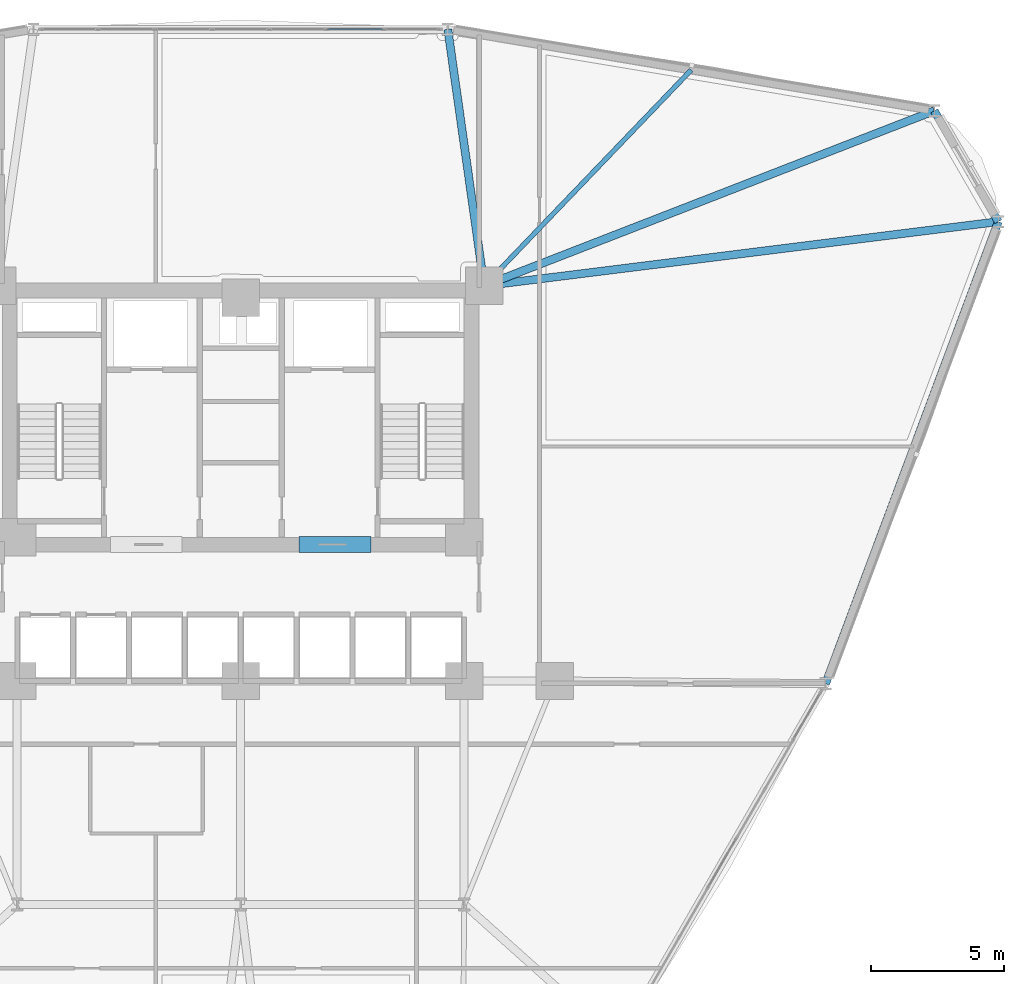
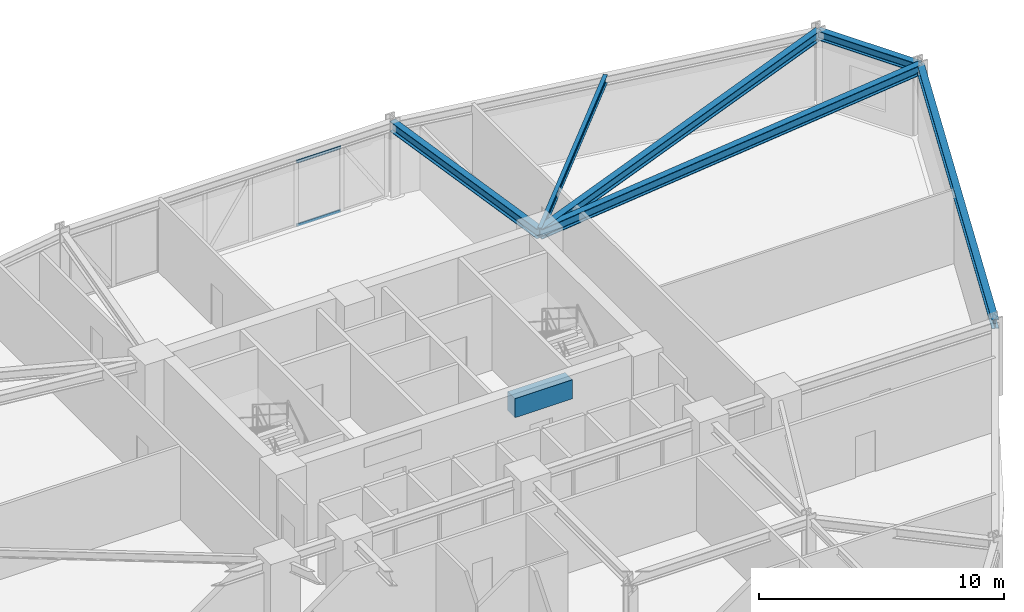
# One storey, part 13 of 22: 7 beams, 2 members, 1 element without a shape of its own.
"""IFC4 building model written with IfcOpenShell, lengths in metres."""

from ifc_helpers import new_model, si_unit, derived_unit, direction, frame, origin, origin_2d, place, context, subcontext, project, spatial, rectangle, hollow_rectangle, i_section, extrude, source, transform, mapped, material, layer, layer_set, material_profile, profile_set, type_object, element, aggregate, save


model = new_model("IFC4")

# Units and contexts
model_context = context("Model", 3, precision=1e-05, world=origin(), true_north=direction((0.0, 1.0)))
body_context = subcontext(model_context, "Body", "Model", "MODEL_VIEW")
ifc_project = project(units=[si_unit("LENGTHUNIT", "METRE"), si_unit("AREAUNIT", "SQUARE_METRE"), si_unit("VOLUMEUNIT", "CUBIC_METRE"), si_unit("PLANEANGLEUNIT", "RADIAN"), si_unit("MASSUNIT", "GRAM", prefix="KILO"), derived_unit("THERMALTRANSMITTANCEUNIT", [(si_unit("POWERUNIT", "WATT"), 1), (si_unit("LENGTHUNIT", "METRE"), -2), (si_unit("THERMODYNAMICTEMPERATUREUNIT", "KELVIN"), -1)])], contexts=[model_context])

# Site, building, storey
site_placement = place(None, origin())
site = spatial("IfcSite", under=ifc_project, at=site_placement, CompositionType="ELEMENT")
building_placement = place(site_placement, origin())
building = spatial("IfcBuilding", under=site, at=building_placement, Name="Korsvarv Bourse and Concert Hall", CompositionType="ELEMENT")
storey_placement = place(building_placement, frame((0.0, 0.0, 51.300048828125)))
storey = spatial("IfcBuildingStorey", under=building, at=storey_placement, Name="L12", CompositionType="ELEMENT", Elevation=51.300048828125)

# Beams
ifc_material_1 = material(Name="Concrete C55/67", Category="concrete")
ifc_material_profile_1 = material_profile(ifc_material_1, rectangle(XDim=0.60009765625, YDim=0.949951171875, at=origin_2d()), Name="RC-BM 600x950")
ifc_profile_set_1 = profile_set([ifc_material_profile_1], Name="Concrete C55/67")
beam_type_1 = type_object("IfcBeamType", Name="BM-CPL", PredefinedType="LINTEL", material=ifc_profile_set_1)
shared_shape_1 = source(origin(), body_context, "Body", "SweptSolid", [
    extrude(rectangle(XDim=0.60009765625, YDim=0.949951171875, at=origin_2d()), origin(), (0.0, 0.0, 1.0), 2.699951171875),
])
beam_1_placement = place(storey_placement, frame((38.199951171875, 37.52490234375, 3.204833984375), z_axis=(1.0, 0.0, 0.0), x_axis=(0.0, 1.0, 0.0)))
element("IfcBeam", 1, at=beam_1_placement, inside=storey, type_object=beam_type_1, Name="L12 Core Coupling Beam East", PredefinedType="LINTEL", context=body_context, shape_type="MappedRepresentation", body=[
    mapped(shared_shape_1, transform((0.0, 0.0, 0.0), scale=1.0)),
])
ifc_material_2 = material(Name="Steel S355", Category="steel")
ifc_material_profile_2 = material_profile(ifc_material_2, i_section(OverallWidth=0.300048828125, OverallDepth=0.449951171875, WebThickness=0.013916015625, FlangeThickness=0.02587890625, FilletRadius=0.02099609375, at=origin_2d()), Name="HEB 450")
ifc_profile_set_2 = profile_set([ifc_material_profile_2], Name="Steel S355")
beam_type_2 = type_object("IfcBeamType", Name="BM-HEB450", PredefinedType="SPANDREL", material=ifc_profile_set_2)
shared_shape_2 = source(origin(), body_context, "Body", "SweptSolid", [
    extrude(i_section(OverallWidth=0.300048828125, OverallDepth=0.449951171875, WebThickness=0.013916015625, FlangeThickness=0.02587890625, FilletRadius=0.02099609375, at=origin_2d()), origin(), (0.0, 0.0, 1.0), 4.810791015625),
])
beam_2_placement = place(storey_placement, frame((64.474609375, 49.662353515625, 3.454833984375), z_axis=(-0.500019702373, 0.866014028315, 0.0), x_axis=(-0.866014028315, -0.500019702373, 0.0)))
element("IfcBeam", 2, at=beam_2_placement, inside=storey, type_object=beam_type_2, Name="L12 beam B-08", PredefinedType="SPANDREL", context=body_context, shape_type="MappedRepresentation", body=[
    mapped(shared_shape_2, transform((0.0, 0.0, 0.0), scale=1.0)),
])
shared_shape_3 = source(origin(), body_context, "Body", "SweptSolid", [
    extrude(i_section(OverallWidth=0.300048828125, OverallDepth=0.449951171875, WebThickness=0.013916015625, FlangeThickness=0.02587890625, FilletRadius=0.02099609375, at=origin_2d()), origin(), (0.0, 0.0, 1.0), 18.538818359375),
])
beam_3_placement = place(storey_placement, frame((57.983154296875, 32.297119140625, 3.454833984375), z_axis=(0.35015342957, 0.936692359188, 0.0), x_axis=(-0.936692359188, 0.35015342957, 0.0)))
element("IfcBeam", 3, at=beam_3_placement, inside=storey, type_object=beam_type_2, Name="L12 beam B-08", PredefinedType="SPANDREL", context=body_context, shape_type="MappedRepresentation", body=[
    mapped(shared_shape_3, transform((0.0, 0.0, 0.0), scale=1.0)),
])
ifc_material_profile_3 = material_profile(ifc_material_2, i_section(OverallWidth=0.300048828125, OverallDepth=0.5, WebThickness=0.014404296875, FlangeThickness=0.028076171875, FilletRadius=0.02392578125, at=origin_2d()), Name="HEB 500")
ifc_profile_set_3 = profile_set([ifc_material_profile_3], Name="Steel S355")
beam_type_3 = type_object("IfcBeamType", Name="BM-HEB500", PredefinedType="BEAM", material=ifc_profile_set_3)
shared_shape_4 = source(origin(), body_context, "Body", "SweptSolid", [
    extrude(i_section(OverallWidth=0.300048828125, OverallDepth=0.5, WebThickness=0.014404296875, FlangeThickness=0.028076171875, FilletRadius=0.02392578125, at=origin_2d()), origin(), (0.0, 0.0, 1.0), 19.474609375),
])
beam_4_placement = place(storey_placement, frame((64.474609375, 49.662353515625, 3.429931640625), z_axis=(-0.992298307048, -0.123871182403, 0.0), x_axis=(0.123871182403, -0.992298307048, 0.0)))
element("IfcBeam", 4, at=beam_4_placement, inside=storey, type_object=beam_type_3, Name="L12 beam B-07", PredefinedType="BEAM", context=body_context, shape_type="MappedRepresentation", body=[
    mapped(shared_shape_4, transform((0.0, 0.0, 0.0), scale=1.0)),
])
shared_shape_5 = source(origin(), body_context, "Body", "SweptSolid", [
    extrude(i_section(OverallWidth=0.300048828125, OverallDepth=0.5, WebThickness=0.014404296875, FlangeThickness=0.028076171875, FilletRadius=0.02392578125, at=origin_2d()), origin(), (0.0, 0.0, 1.0), 18.153076171875),
])
beam_5_placement = place(storey_placement, frame((62.069091796875, 53.82861328125, 3.429931640625), z_axis=(-0.932024609168, -0.362394988797, 0.0), x_axis=(0.362394988797, -0.932024609168, 0.0)))
element("IfcBeam", 5, at=beam_5_placement, inside=storey, type_object=beam_type_3, Name="L12 beam B-07", PredefinedType="BEAM", context=body_context, shape_type="MappedRepresentation", body=[
    mapped(shared_shape_5, transform((0.0, 0.0, 0.0), scale=1.0)),
])
shared_shape_6 = source(origin(), body_context, "Body", "SweptSolid", [
    extrude(i_section(OverallWidth=0.300048828125, OverallDepth=0.5, WebThickness=0.014404296875, FlangeThickness=0.028076171875, FilletRadius=0.02392578125, at=origin_2d()), origin(), (0.0, 0.0, 1.0), 9.735595703125),
])
beam_6_placement = place(storey_placement, frame((43.78466796875, 56.889404296875, 3.429931640625), z_axis=(0.140231095274, -0.990118800911, 0.0), x_axis=(0.990118800911, 0.140231095274, 0.0)))
element("IfcBeam", 6, at=beam_6_placement, inside=storey, type_object=beam_type_3, Name="L12 beam B-07", PredefinedType="BEAM", context=body_context, shape_type="MappedRepresentation", body=[
    mapped(shared_shape_6, transform((0.0, 0.0, 0.0), scale=1.0)),
])
ifc_material_profile_4 = material_profile(ifc_material_2, i_section(OverallWidth=0.179931640625, OverallDepth=0.39990234375, WebThickness=0.008544921875, FlangeThickness=0.013427734375, FilletRadius=0.02099609375, at=origin_2d()), Name="IPE 400")
ifc_profile_set_4 = profile_set([ifc_material_profile_4], Name="Steel S355")
beam_type_4 = type_object("IfcBeamType", Name="BM-IPE400", PredefinedType="JOIST", material=ifc_profile_set_4)
shared_shape_7 = source(origin(), body_context, "Body", "SweptSolid", [
    extrude(i_section(OverallWidth=0.179931640625, OverallDepth=0.39990234375, WebThickness=0.008544921875, FlangeThickness=0.013427734375, FilletRadius=0.02099609375, at=origin_2d()), origin(), (0.0, 0.0, 1.0), 11.235595703125),
])
beam_7_placement = place(storey_placement, frame((52.927001953125, 55.35888671875, 3.47998046875), z_axis=(-0.692187535913, -0.721717683812, 0.0), x_axis=(0.721717683812, -0.692187535913, 0.0)))
element("IfcBeam", 7, at=beam_7_placement, inside=storey, type_object=beam_type_4, Name="L12 beam J-05", PredefinedType="JOIST", context=body_context, shape_type="MappedRepresentation", body=[
    mapped(shared_shape_7, transform((0.0, 0.0, 0.0), scale=1.0)),
])

# Curtain wall, members
ifc_material_3 = material(Name="Anodised aluminium and triple low-E glazing", Category="glass")
ifc_layer = layer(ifc_material_3, 0.219970703125)
ifc_layer_set = layer_set([ifc_layer], Name="Anodised aluminium and triple low-E glazing")
curtain_wall_type = type_object("IfcCurtainWallType", Name="CW-SYS-1", PredefinedType="NOTDEFINED", material=ifc_layer_set)
curtain_wall_placement = place(storey_placement, origin())
curtain_wall = element("IfcCurtainWall", 8, at=curtain_wall_placement, inside=storey, type_object=curtain_wall_type, Name="L12 CW1 curtain wall CW-L12-F03", PredefinedType="NOTDEFINED")
ifc_material_4 = material(Name="Extruded aluminium EN AW-6063 T66", Category="aluminium")
ifc_material_profile_5 = material_profile(ifc_material_4, hollow_rectangle(XDim=0.06494140625, YDim=0.139892578125, WallThickness=0.00390625, at=origin_2d()), Name="ALU-T 65x140")
ifc_profile_set_5 = profile_set([ifc_material_profile_5], Name="Extruded aluminium EN AW-6063 T66")
member_type = type_object("IfcMemberType", Name="CWT-140", PredefinedType="USERDEFINED", material=ifc_profile_set_5)
shared_shape_8 = source(origin(), body_context, "Body", "SweptSolid", [
    extrude(hollow_rectangle(XDim=0.06494140625, YDim=0.139892578125, WallThickness=0.00390625, at=origin_2d()), origin(), (0.0, 0.0, 1.0), 2.079345703125),
])
member_1_placement = place(storey_placement, frame((41.33837890625, 56.889404296875, 0.032470703125), z_axis=(-1.0, 0.0, 0.0), x_axis=(0.0, -1.0, 0.0)))
member_1 = element("IfcMember", 9, at=member_1_placement, type_object=member_type, Name="CW1 transom 2.1", ObjectType="TRANSOM", PredefinedType="USERDEFINED", context=body_context, shape_type="MappedRepresentation", body=[
    mapped(shared_shape_8, transform((0.0, 0.0, 0.0), scale=1.0)),
])
member_2_placement = place(storey_placement, frame((41.33837890625, 56.889404296875, 3.197509765625), z_axis=(-1.0, 0.0, 0.0), x_axis=(0.0, -1.0, 0.0)))
member_2 = element("IfcMember", 10, at=member_2_placement, type_object=member_type, Name="CW1 transom 2.2", ObjectType="TRANSOM", PredefinedType="USERDEFINED", context=body_context, shape_type="MappedRepresentation", body=[
    mapped(shared_shape_8, transform((0.0, 0.0, 0.0), scale=1.0)),
])
aggregate(curtain_wall, [member_1, member_2])

save(model, "model.ifc")
